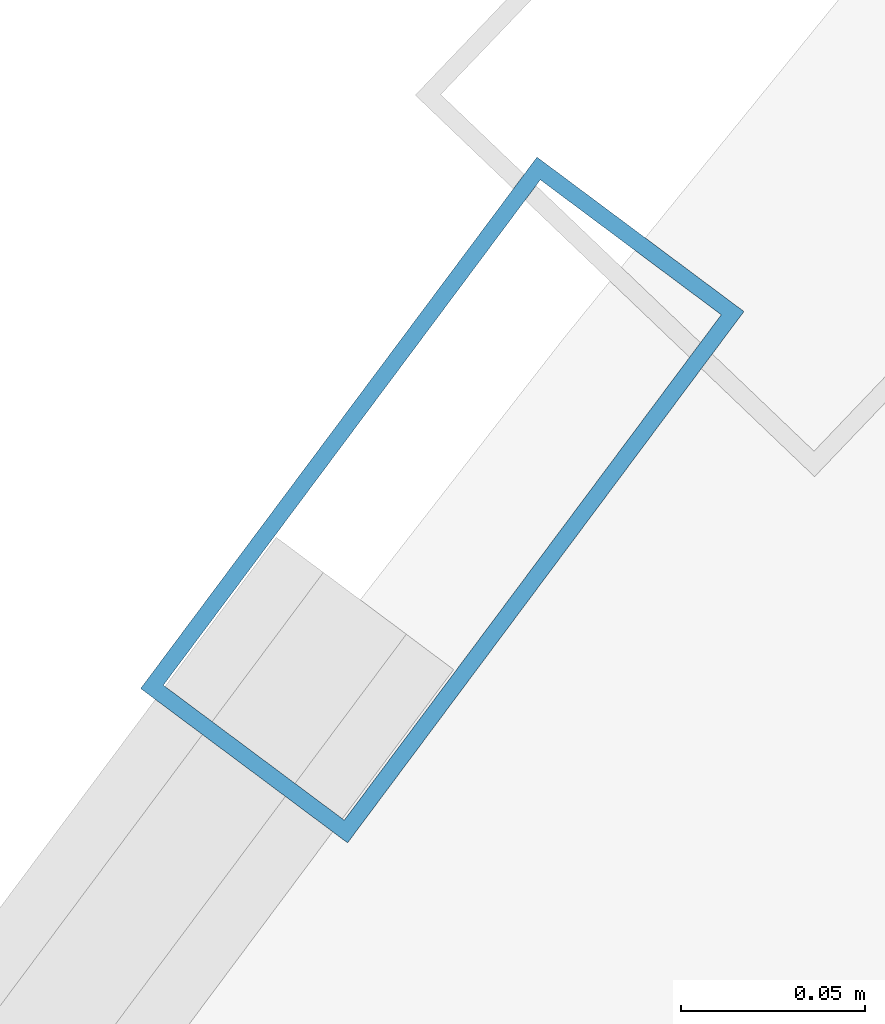
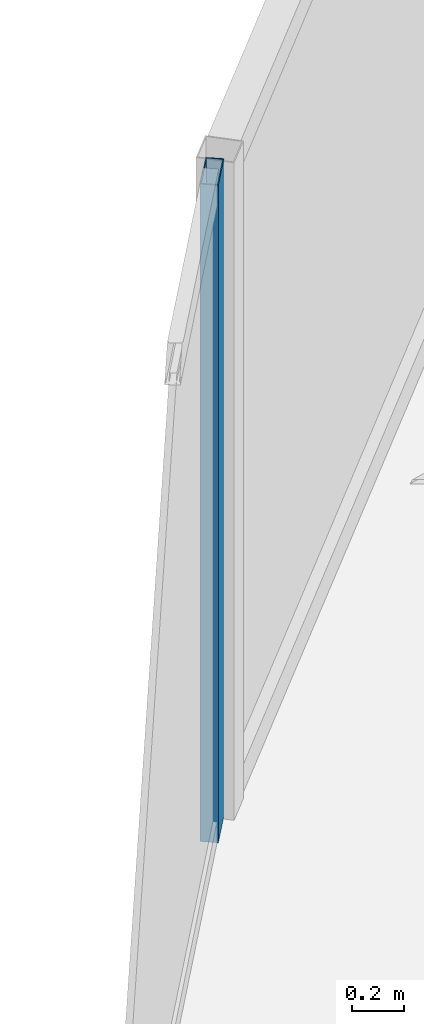
# One storey, part 22 of 31: 1 member, 1 element without a shape of its own.
"""IFC4 building model written with IfcOpenShell, lengths in metres."""

from ifc_helpers import new_model, si_unit, direction, frame, origin, origin_2d, place, context, subcontext, project, spatial, hollow_rectangle, extrude, material, layer, layer_set, material_profile, profile_set, type_object, element, aggregate, save


model = new_model("IFC4")

# Units and contexts
model_context = context("Model", 3, precision=1e-05, world=origin(), true_north=direction((0.0, 1.0)))
body_context = subcontext(model_context, "Body", "Model", "MODEL_VIEW")
ifc_project = project(units=[si_unit("LENGTHUNIT", "METRE"), si_unit("AREAUNIT", "SQUARE_METRE"), si_unit("VOLUMEUNIT", "CUBIC_METRE"), si_unit("PLANEANGLEUNIT", "RADIAN"), si_unit("MASSUNIT", "GRAM", prefix="KILO")], contexts=[model_context])

# Site, building, storey
site_placement = place(None, origin())
site = spatial("IfcSite", under=ifc_project, at=site_placement, CompositionType="ELEMENT")
building_placement = place(site_placement, origin())
building = spatial("IfcBuilding", under=site, at=building_placement, Name="Orvanel Arch Residences", CompositionType="ELEMENT")
storey_placement = place(building_placement, frame((0.0, 0.0, 157.25)))
storey = spatial("IfcBuildingStorey", under=building, at=storey_placement, Name="L44", CompositionType="ELEMENT", Elevation=157.25)

# Curtain wall, member
ifc_material = material(Name="Bronze-anodised aluminium AA6063-T6", Category="aluminium")
ifc_layer = layer(ifc_material, 0.179931640625)
ifc_layer_set = layer_set([ifc_layer], Name="Bronze-anodised aluminium AA6063-T6")
curtain_wall_type = type_object("IfcCurtainWallType", Name="CW3-MID-SYS", PredefinedType="NOTDEFINED", material=ifc_layer_set)
curtain_wall_placement = place(storey_placement, origin())
curtain_wall = element("IfcCurtainWall", 1, at=curtain_wall_placement, inside=storey, type_object=curtain_wall_type, Name="L44 CW3-MID-SYS Unitised Curtain Wall", PredefinedType="NOTDEFINED")
ifc_material_profile = material_profile(ifc_material, hollow_rectangle(XDim=0.070068359375, YDim=0.179931640625, WallThickness=0.00439453125, at=origin_2d()), Name="ALU180x70x4.5")
ifc_profile_set = profile_set([ifc_material_profile], Name="Bronze-anodised aluminium AA6063-T6")
member_type = type_object("IfcMemberType", Name="MUL-180x70", PredefinedType="MULLION", material=ifc_profile_set)
member_placement = place(storey_placement, frame((27.1611328125, 42.824951171875, 0.0), z_axis=(0.0, 0.0, 1.0), x_axis=(0.801562009751, -0.597911652775, 0.0)))
member = element("IfcMember", 2, at=member_placement, type_object=member_type, Name="CW-S3 mullion 1", PredefinedType="MULLION", context=body_context, shape_type="SweptSolid", body=[
    extrude(hollow_rectangle(XDim=0.070068359375, YDim=0.179931640625, WallThickness=0.00439453125, at=origin_2d()), origin(), (0.0, 0.0, 1.0), 3.06005859375),
])
aggregate(curtain_wall, [member])

save(model, "model.ifc")
